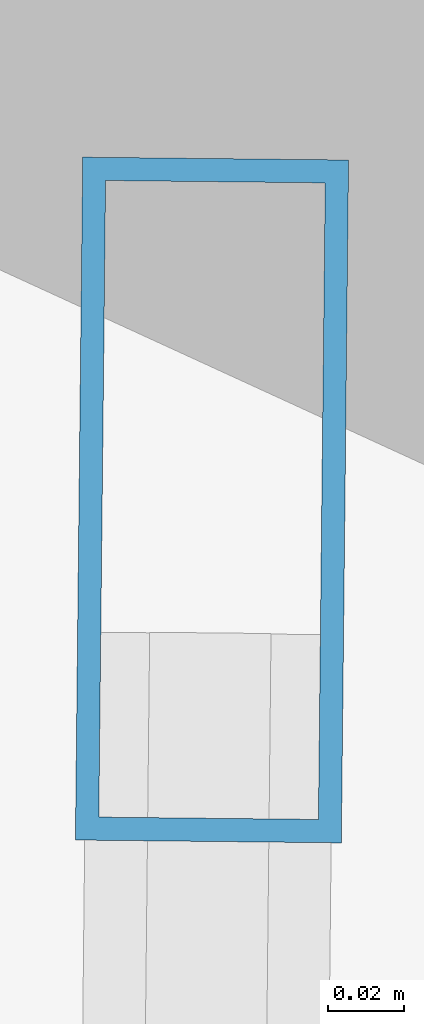
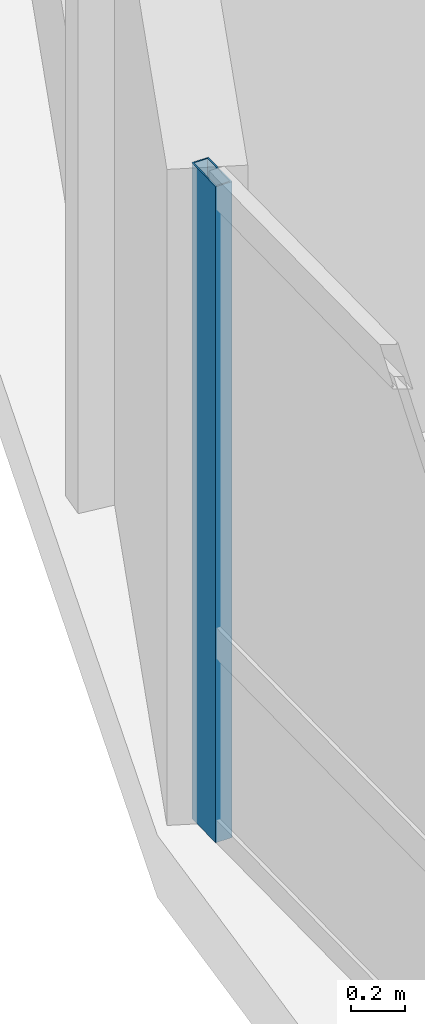
# One storey, part 6 of 17: 1 member, 1 element without a shape of its own.
"""IFC4 building model written with IfcOpenShell, lengths in metres."""

from ifc_helpers import new_model, si_unit, direction, frame, origin, origin_2d, place, context, subcontext, project, spatial, hollow_rectangle, extrude, material, layer, layer_set, material_profile, profile_set, type_object, element, aggregate, save


model = new_model("IFC4")

# Units and contexts
model_context = context("Model", 3, precision=1e-05, world=origin(), true_north=direction((0.0, 1.0)))
body_context = subcontext(model_context, "Body", "Model", "MODEL_VIEW")
ifc_project = project(units=[si_unit("LENGTHUNIT", "METRE"), si_unit("AREAUNIT", "SQUARE_METRE"), si_unit("VOLUMEUNIT", "CUBIC_METRE"), si_unit("PLANEANGLEUNIT", "RADIAN"), si_unit("MASSUNIT", "GRAM", prefix="KILO"), si_unit("THERMODYNAMICTEMPERATUREUNIT", "KELVIN"), si_unit("POWERUNIT", "WATT")], contexts=[model_context])

# Site, building, storey
site_placement = place(None, origin())
site = spatial("IfcSite", under=ifc_project, at=site_placement, CompositionType="ELEMENT")
building_placement = place(site_placement, origin())
building = spatial("IfcBuilding", under=site, at=building_placement, Name="Ocrelia Relay Tower", CompositionType="ELEMENT")
storey_placement = place(building_placement, frame((0.0, 0.0, 84.60009765625)))
storey = spatial("IfcBuildingStorey", under=building, at=storey_placement, Name="L19", CompositionType="ELEMENT", Elevation=84.60009765625)

# Curtain wall, member
ifc_material_1 = material(Name="Aluminium and solar-control low-E glass", Category="aluminium")
ifc_layer = layer(ifc_material_1, 0.179931640625, Name="Aluminium and solar-control low-E glass")
ifc_layer_set = layer_set([ifc_layer], Name="Aluminium and solar-control low-E glass")
curtain_wall_type = type_object("IfcCurtainWallType", Name="CW-SYS-Z1-DATA", PredefinedType="NOTDEFINED", material=ifc_layer_set)
curtain_wall_placement = place(storey_placement, origin())
curtain_wall = element("IfcCurtainWall", 1, at=curtain_wall_placement, inside=storey, type_object=curtain_wall_type, Name="L19 Elliptical Tower Curtain Wall Bay 09", PredefinedType="NOTDEFINED")
ifc_material_2 = material(Name="Anodised bronze aluminium", Category="aluminium")
ifc_material_profile = material_profile(ifc_material_2, hollow_rectangle(XDim=0.070068359375, YDim=0.179931640625, WallThickness=0.006103515625, at=origin_2d()), Name="CW-MUL-180x70")
ifc_profile_set = profile_set([ifc_material_profile], Name="Anodised bronze aluminium")
member_type = type_object("IfcMemberType", Name="CW-SYS-Z1-DATA-MUL", PredefinedType="MULLION", material=ifc_profile_set)
member_placement = place(storey_placement, frame((6.922607421875, 27.494140625, 0.0), z_axis=(0.0, 0.0, 1.0), x_axis=(0.999943306038, -0.010648225703, 0.0)))
member = element("IfcMember", 2, at=member_placement, type_object=member_type, Name="CW-Z1 mullion 1", PredefinedType="MULLION", context=body_context, shape_type="SweptSolid", body=[
    extrude(hollow_rectangle(XDim=0.070068359375, YDim=0.179931640625, WallThickness=0.006103515625, at=origin_2d()), origin(), (0.0, 0.0, 1.0), 2.9599609375),
])
aggregate(curtain_wall, [member])

save(model, "model.ifc")
